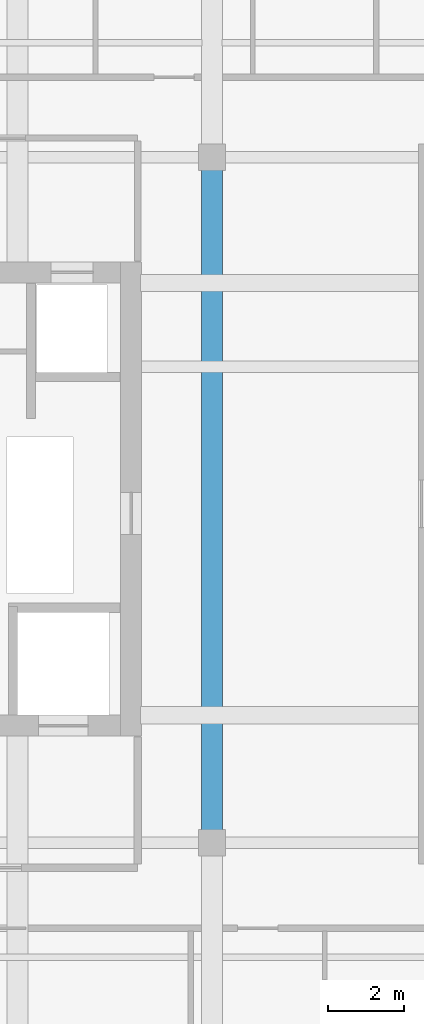
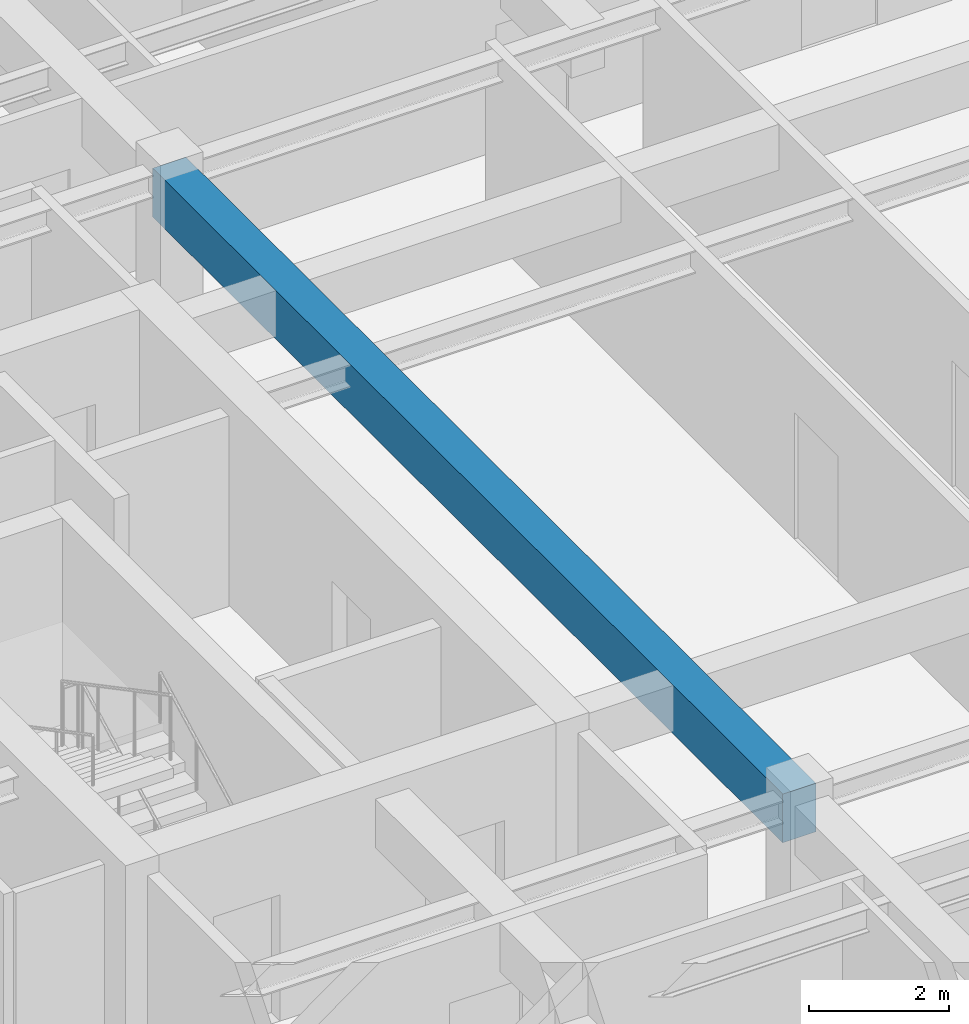
# One storey, part 7 of 21: 1 beam.
"""IFC4 building model written with IfcOpenShell, lengths in metres."""

from ifc_helpers import new_model, si_unit, direction, frame, origin, origin_2d, place, context, subcontext, project, spatial, rectangle, extrude, source, transform, mapped, material, material_profile, profile_set, type_object, element, save


model = new_model("IFC4")

# Units and contexts
model_context = context("Model", 3, precision=1e-05, world=origin(), true_north=direction((0.0, 1.0)))
body_context = subcontext(model_context, "Body", "Model", "MODEL_VIEW")
ifc_project = project(units=[si_unit("LENGTHUNIT", "METRE"), si_unit("AREAUNIT", "SQUARE_METRE"), si_unit("VOLUMEUNIT", "CUBIC_METRE"), si_unit("PLANEANGLEUNIT", "RADIAN"), si_unit("MASSUNIT", "GRAM", prefix="KILO")], contexts=[model_context])

# Site, building, storey
site_placement = place(None, origin())
site = spatial("IfcSite", under=ifc_project, at=site_placement, CompositionType="ELEMENT")
building_placement = place(site_placement, origin())
building = spatial("IfcBuilding", under=site, at=building_placement, Name="Khoralis Quay Care Tower", CompositionType="ELEMENT")
storey_placement = place(building_placement, frame((0.0, 0.0, 267.300048828125)))
storey = spatial("IfcBuildingStorey", under=building, at=storey_placement, Name="L70", CompositionType="ELEMENT", Elevation=267.300048828125)

# Beam
ifc_material = material(Name="Concrete C50/60", Category="concrete")
ifc_material_profile = material_profile(ifc_material, rectangle(XDim=0.550048828125, YDim=0.85009765625, at=origin_2d()), Name="Concrete C50/60")
ifc_profile_set = profile_set([ifc_material_profile], Name="Concrete C50/60")
beam_type = type_object("IfcBeamType", Name="BM-RC550X850", PredefinedType="BEAM", material=ifc_profile_set)
shared_shape = source(origin(), body_context, "Body", "SweptSolid", [
    extrude(rectangle(XDim=0.550048828125, YDim=0.85009765625, at=origin_2d()), origin(), (0.0, 0.0, 1.0), 18.0),
])
beam_placement = place(storey_placement, frame((17.10009765625, 12.0, 2.89501953125), z_axis=(0.0, 1.0, 0.0), x_axis=(-1.0, 0.0, 0.0)))
element("IfcBeam", 1, at=beam_placement, inside=storey, type_object=beam_type, Name="BM-TGSW-L70", PredefinedType="BEAM", context=body_context, shape_type="MappedRepresentation", body=[
    mapped(shared_shape, transform((0.0, 0.0, 0.0), scale=1.0)),
])

save(model, "model.ifc")
